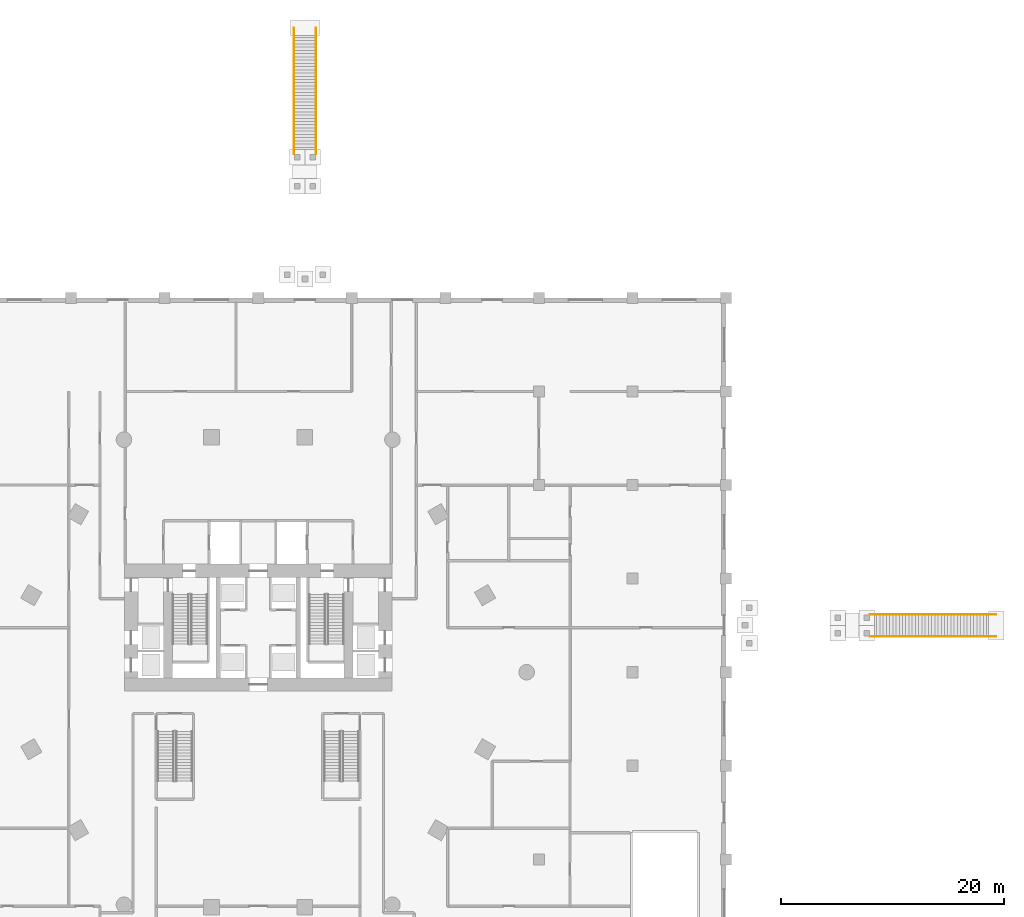
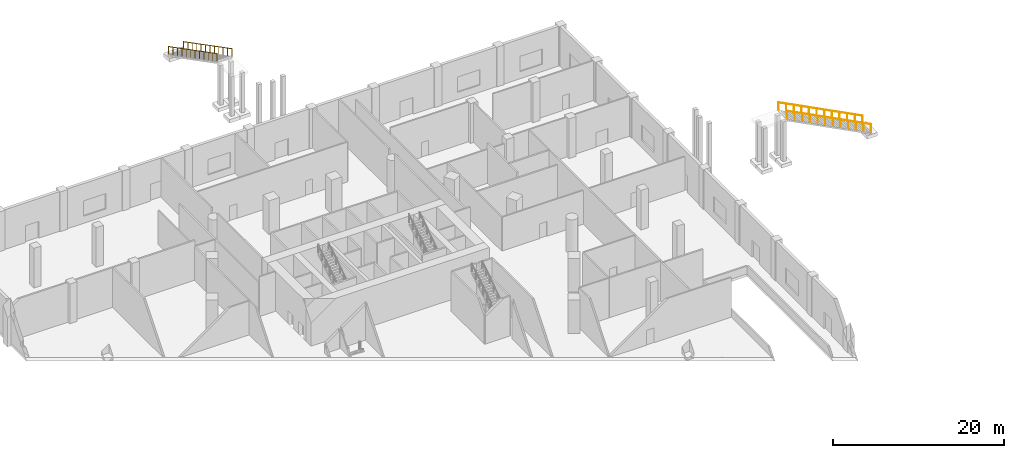
# One storey, part 24 of 25: 4 railings.
"""IFC4 building model written with IfcOpenShell, lengths in metres."""

from ifc_helpers import new_model, si_unit, direction, frame, origin, origin_2d, place, context, subcontext, project, spatial, circle, extrude, material, type_object, element, save


model = new_model("IFC4")

# Units and contexts
model_context = context("Model", 3, precision=1e-05, world=origin(), true_north=direction((0.0, 1.0)))
body_context = subcontext(model_context, "Body", "Model", "MODEL_VIEW")
ifc_project = project(units=[si_unit("LENGTHUNIT", "METRE"), si_unit("AREAUNIT", "SQUARE_METRE"), si_unit("VOLUMEUNIT", "CUBIC_METRE"), si_unit("PLANEANGLEUNIT", "RADIAN"), si_unit("MASSUNIT", "GRAM", prefix="KILO")], contexts=[model_context])

# Site, building, storey
site_placement = place(None, origin())
site = spatial("IfcSite", under=ifc_project, at=site_placement, CompositionType="ELEMENT")
building_placement = place(site_placement, origin())
building = spatial("IfcBuilding", under=site, at=building_placement, Name="Ostrander Bayou Hotel Tower", CompositionType="ELEMENT")
storey_placement = place(building_placement, origin())
storey = spatial("IfcBuildingStorey", under=building, at=storey_placement, Name="L00", CompositionType="ELEMENT", Elevation=0.0)

# Railings
ifc_material = material(Name="Stainless steel and clear glass", Category="steel")
railing_type = type_object("IfcRailingType", Name="GR1 guard 1100 mm", PredefinedType="GUARDRAIL", material=ifc_material)
railing_1_placement = place(storey_placement, frame((66.25, 3.199951171875, 0.14990234375)))
element("IfcRailing", 1, at=railing_1_placement, inside=storey, type_object=railing_type, Name="GR1 deck stair guard ELA", PredefinedType="GUARDRAIL", context=body_context, shape_type="SweptSolid", body=[
    extrude(circle(Radius=0.02490234375, at=origin_2d()), frame((0.0, 0.0, 1.0751953125), z_axis=(-0.888215484817, 0.0, 0.459427091637), x_axis=(0.0, -1.0, 0.0)), (0.0, 0.0, 1.0), 12.7333984375),
    extrude(circle(Radius=0.02001953125, at=origin_2d()), origin(), (0.0, 0.0, 1.0), 1.050048828125),
    extrude(circle(Radius=0.02001953125, at=origin_2d()), frame((-1.028076171875, 0.0, 0.53173828125)), (0.0, 0.0, 1.0), 1.050048828125),
    extrude(circle(Radius=0.02001953125, at=origin_2d()), frame((-2.056396484375, 0.0, 1.063720703125)), (0.0, 0.0, 1.0), 1.050048828125),
    extrude(circle(Radius=0.02001953125, at=origin_2d()), frame((-3.08447265625, 0.0, 1.595458984375)), (0.0, 0.0, 1.0), 1.050048828125),
    extrude(circle(Radius=0.02001953125, at=origin_2d()), frame((-4.11279296875, 0.0, 2.127197265625)), (0.0, 0.0, 1.0), 1.050048828125),
    extrude(circle(Radius=0.02001953125, at=origin_2d()), frame((-5.140869140625, 0.0, 2.6591796875)), (0.0, 0.0, 1.0), 1.050048828125),
    extrude(circle(Radius=0.02001953125, at=origin_2d()), frame((-6.169189453125, 0.0, 3.19091796875)), (0.0, 0.0, 1.0), 1.050048828125),
    extrude(circle(Radius=0.02001953125, at=origin_2d()), frame((-7.197265625, 0.0, 3.722900390625)), (0.0, 0.0, 1.0), 1.050048828125),
    extrude(circle(Radius=0.02001953125, at=origin_2d()), frame((-8.2255859375, 0.0, 4.254638671875)), (0.0, 0.0, 1.0), 1.050048828125),
    extrude(circle(Radius=0.02001953125, at=origin_2d()), frame((-9.253662109375, 0.0, 4.786376953125)), (0.0, 0.0, 1.0), 1.050048828125),
    extrude(circle(Radius=0.02001953125, at=origin_2d()), frame((-10.281982421875, 0.0, 5.318359375)), (0.0, 0.0, 1.0), 1.050048828125),
    extrude(circle(Radius=0.02001953125, at=origin_2d()), frame((-11.31005859375, 0.0, 5.85009765625)), (0.0, 0.0, 1.0), 1.050048828125),
])
railing_2_placement = place(storey_placement, frame((66.25, 5.199951171875, 0.14990234375)))
element("IfcRailing", 2, at=railing_2_placement, inside=storey, type_object=railing_type, Name="GR1 deck stair guard ERA", PredefinedType="GUARDRAIL", context=body_context, shape_type="SweptSolid", body=[
    extrude(circle(Radius=0.02490234375, at=origin_2d()), frame((0.0, 0.0, 1.0751953125), z_axis=(-0.888215484817, 0.0, 0.459427091637), x_axis=(0.0, -1.0, 0.0)), (0.0, 0.0, 1.0), 12.7333984375),
    extrude(circle(Radius=0.02001953125, at=origin_2d()), origin(), (0.0, 0.0, 1.0), 1.050048828125),
    extrude(circle(Radius=0.02001953125, at=origin_2d()), frame((-1.028076171875, 0.0, 0.53173828125)), (0.0, 0.0, 1.0), 1.050048828125),
    extrude(circle(Radius=0.02001953125, at=origin_2d()), frame((-2.056396484375, 0.0, 1.063720703125)), (0.0, 0.0, 1.0), 1.050048828125),
    extrude(circle(Radius=0.02001953125, at=origin_2d()), frame((-3.08447265625, 0.0, 1.595458984375)), (0.0, 0.0, 1.0), 1.050048828125),
    extrude(circle(Radius=0.02001953125, at=origin_2d()), frame((-4.11279296875, 0.0, 2.127197265625)), (0.0, 0.0, 1.0), 1.050048828125),
    extrude(circle(Radius=0.02001953125, at=origin_2d()), frame((-5.140869140625, 0.0, 2.6591796875)), (0.0, 0.0, 1.0), 1.050048828125),
    extrude(circle(Radius=0.02001953125, at=origin_2d()), frame((-6.169189453125, 0.0, 3.19091796875)), (0.0, 0.0, 1.0), 1.050048828125),
    extrude(circle(Radius=0.02001953125, at=origin_2d()), frame((-7.197265625, 0.0, 3.722900390625)), (0.0, 0.0, 1.0), 1.050048828125),
    extrude(circle(Radius=0.02001953125, at=origin_2d()), frame((-8.2255859375, 0.0, 4.254638671875)), (0.0, 0.0, 1.0), 1.050048828125),
    extrude(circle(Radius=0.02001953125, at=origin_2d()), frame((-9.253662109375, 0.0, 4.786376953125)), (0.0, 0.0, 1.0), 1.050048828125),
    extrude(circle(Radius=0.02001953125, at=origin_2d()), frame((-10.281982421875, 0.0, 5.318359375)), (0.0, 0.0, 1.0), 1.050048828125),
    extrude(circle(Radius=0.02001953125, at=origin_2d()), frame((-11.31005859375, 0.0, 5.85009765625)), (0.0, 0.0, 1.0), 1.050048828125),
])
railing_3_placement = place(storey_placement, frame((5.199951171875, 57.85009765625, 0.14990234375)))
element("IfcRailing", 3, at=railing_3_placement, inside=storey, type_object=railing_type, Name="GR1 deck stair guard NLA", PredefinedType="GUARDRAIL", context=body_context, shape_type="SweptSolid", body=[
    extrude(circle(Radius=0.02490234375, at=origin_2d()), frame((0.0, 0.0, 1.0751953125), z_axis=(0.0, -0.888215484817, 0.459427091637), x_axis=(1.0, 0.0, 0.0)), (0.0, 0.0, 1.0), 12.7333984375),
    extrude(circle(Radius=0.02001953125, at=origin_2d()), origin(), (0.0, 0.0, 1.0), 1.050048828125),
    extrude(circle(Radius=0.02001953125, at=origin_2d()), frame((0.0, -1.028076171875, 0.53173828125)), (0.0, 0.0, 1.0), 1.050048828125),
    extrude(circle(Radius=0.02001953125, at=origin_2d()), frame((0.0, -2.056396484375, 1.063720703125)), (0.0, 0.0, 1.0), 1.050048828125),
    extrude(circle(Radius=0.02001953125, at=origin_2d()), frame((0.0, -3.08447265625, 1.595458984375)), (0.0, 0.0, 1.0), 1.050048828125),
    extrude(circle(Radius=0.02001953125, at=origin_2d()), frame((0.0, -4.11279296875, 2.127197265625)), (0.0, 0.0, 1.0), 1.050048828125),
    extrude(circle(Radius=0.02001953125, at=origin_2d()), frame((0.0, -5.140869140625, 2.6591796875)), (0.0, 0.0, 1.0), 1.050048828125),
    extrude(circle(Radius=0.02001953125, at=origin_2d()), frame((0.0, -6.169189453125, 3.19091796875)), (0.0, 0.0, 1.0), 1.050048828125),
    extrude(circle(Radius=0.02001953125, at=origin_2d()), frame((0.0, -7.197265625, 3.722900390625)), (0.0, 0.0, 1.0), 1.050048828125),
    extrude(circle(Radius=0.02001953125, at=origin_2d()), frame((0.0, -8.2255859375, 4.254638671875)), (0.0, 0.0, 1.0), 1.050048828125),
    extrude(circle(Radius=0.02001953125, at=origin_2d()), frame((0.0, -9.253662109375, 4.786376953125)), (0.0, 0.0, 1.0), 1.050048828125),
    extrude(circle(Radius=0.02001953125, at=origin_2d()), frame((0.0, -10.281982421875, 5.318359375)), (0.0, 0.0, 1.0), 1.050048828125),
    extrude(circle(Radius=0.02001953125, at=origin_2d()), frame((0.0, -11.31005859375, 5.85009765625)), (0.0, 0.0, 1.0), 1.050048828125),
])
railing_4_placement = place(storey_placement, frame((3.199951171875, 57.85009765625, 0.14990234375)))
element("IfcRailing", 4, at=railing_4_placement, inside=storey, type_object=railing_type, Name="GR1 deck stair guard NRA", PredefinedType="GUARDRAIL", context=body_context, shape_type="SweptSolid", body=[
    extrude(circle(Radius=0.02490234375, at=origin_2d()), frame((0.0, 0.0, 1.0751953125), z_axis=(0.0, -0.888215484817, 0.459427091637), x_axis=(1.0, 0.0, 0.0)), (0.0, 0.0, 1.0), 12.7333984375),
    extrude(circle(Radius=0.02001953125, at=origin_2d()), origin(), (0.0, 0.0, 1.0), 1.050048828125),
    extrude(circle(Radius=0.02001953125, at=origin_2d()), frame((0.0, -1.028076171875, 0.53173828125)), (0.0, 0.0, 1.0), 1.050048828125),
    extrude(circle(Radius=0.02001953125, at=origin_2d()), frame((0.0, -2.056396484375, 1.063720703125)), (0.0, 0.0, 1.0), 1.050048828125),
    extrude(circle(Radius=0.02001953125, at=origin_2d()), frame((0.0, -3.08447265625, 1.595458984375)), (0.0, 0.0, 1.0), 1.050048828125),
    extrude(circle(Radius=0.02001953125, at=origin_2d()), frame((0.0, -4.11279296875, 2.127197265625)), (0.0, 0.0, 1.0), 1.050048828125),
    extrude(circle(Radius=0.02001953125, at=origin_2d()), frame((0.0, -5.140869140625, 2.6591796875)), (0.0, 0.0, 1.0), 1.050048828125),
    extrude(circle(Radius=0.02001953125, at=origin_2d()), frame((0.0, -6.169189453125, 3.19091796875)), (0.0, 0.0, 1.0), 1.050048828125),
    extrude(circle(Radius=0.02001953125, at=origin_2d()), frame((0.0, -7.197265625, 3.722900390625)), (0.0, 0.0, 1.0), 1.050048828125),
    extrude(circle(Radius=0.02001953125, at=origin_2d()), frame((0.0, -8.2255859375, 4.254638671875)), (0.0, 0.0, 1.0), 1.050048828125),
    extrude(circle(Radius=0.02001953125, at=origin_2d()), frame((0.0, -9.253662109375, 4.786376953125)), (0.0, 0.0, 1.0), 1.050048828125),
    extrude(circle(Radius=0.02001953125, at=origin_2d()), frame((0.0, -10.281982421875, 5.318359375)), (0.0, 0.0, 1.0), 1.050048828125),
    extrude(circle(Radius=0.02001953125, at=origin_2d()), frame((0.0, -11.31005859375, 5.85009765625)), (0.0, 0.0, 1.0), 1.050048828125),
])

save(model, "model.ifc")
